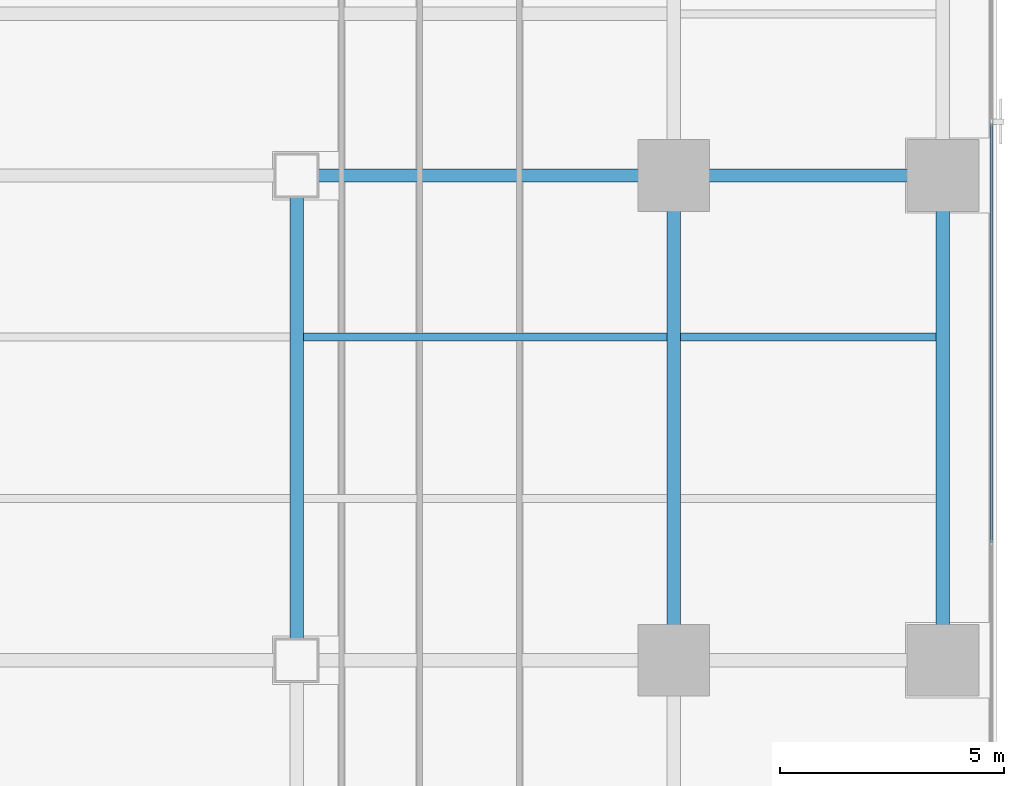
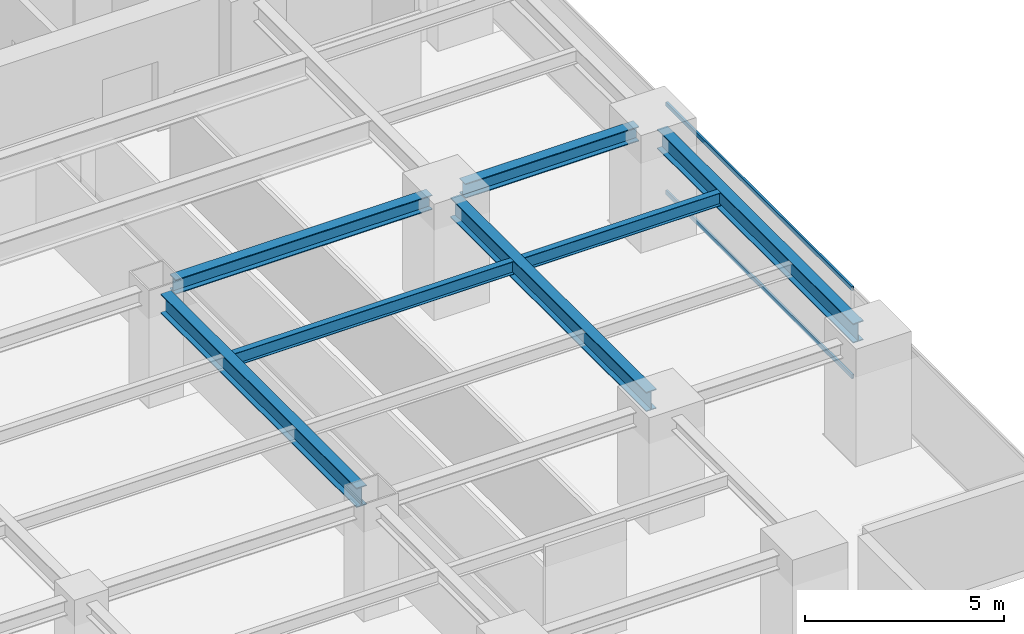
# One storey, part 12 of 27: 7 beams, 2 members, 1 element without a shape of its own.
"""IFC4 building model written with IfcOpenShell, lengths in metres."""

from ifc_helpers import new_model, si_unit, direction, frame, origin, origin_2d, place, context, subcontext, project, spatial, hollow_rectangle, i_section, extrude, source, transform, mapped, material, layer, layer_set, material_profile, profile_set, type_object, element, aggregate, save


model = new_model("IFC4")

# Units and contexts
model_context = context("Model", 3, precision=1e-05, world=origin(), true_north=direction((0.0, 1.0)))
body_context = subcontext(model_context, "Body", "Model", "MODEL_VIEW")
ifc_project = project(units=[si_unit("LENGTHUNIT", "METRE"), si_unit("AREAUNIT", "SQUARE_METRE"), si_unit("VOLUMEUNIT", "CUBIC_METRE"), si_unit("PLANEANGLEUNIT", "RADIAN"), si_unit("MASSUNIT", "GRAM", prefix="KILO")], contexts=[model_context])

# Site, building, storey
site_placement = place(None, origin())
site = spatial("IfcSite", under=ifc_project, at=site_placement, CompositionType="ELEMENT")
building_placement = place(site_placement, origin())
building = spatial("IfcBuilding", under=site, at=building_placement, Name="Sumidabori Civic Tower", CompositionType="ELEMENT")
storey_placement = place(building_placement, frame((0.0, 0.0, 142.39990234375)))
storey = spatial("IfcBuildingStorey", under=building, at=storey_placement, Name="L36", CompositionType="ELEMENT", Elevation=142.39990234375)

# Beams
ifc_material_1 = material(Name="Steel SN490", Category="steel")
ifc_material_profile_1 = material_profile(ifc_material_1, i_section(OverallWidth=0.300048828125, OverallDepth=0.60009765625, WebThickness=0.015380859375, FlangeThickness=0.030029296875, at=origin_2d()), Name="HE 600 B")
ifc_profile_set_1 = profile_set([ifc_material_profile_1], Name="Steel SN490")
beam_type_1 = type_object("IfcBeamType", Name="BM-GIRD-600", PredefinedType="BEAM", material=ifc_profile_set_1)
shared_shape_1 = source(origin(), body_context, "Body", "SweptSolid", [
    extrude(i_section(OverallWidth=0.300048828125, OverallDepth=0.60009765625, WebThickness=0.015380859375, FlangeThickness=0.030029296875, at=origin_2d()), origin(), (0.0, 0.0, 1.0), 9.840087890625),
])
for number, where, z_axis, x_axis, name in (
    (1, (8.39990234375, -10.320068359375, 3.080078125), (0.0, 1.0, 0.0), (-1.0, 0.0, 0.0), "Primary Girder L36 GY-31"),
    (2, (16.800048828125, -10.320068359375, 3.080078125), (0.0, 1.0, 0.0), (-1.0, 0.0, 0.0), "Primary Girder L36 GY-33"),
    (3, (22.800048828125, -10.320068359375, 3.080078125), (0.0, 1.0, 0.0), (-1.0, 0.0, 0.0), "Primary Girder L36 GY-36"),
):
    element("IfcBeam", number, at=place(storey_placement, frame(where, z_axis=z_axis, x_axis=x_axis)), inside=storey, type_object=beam_type_1, Name=name, PredefinedType="BEAM", context=body_context, shape_type="MappedRepresentation", body=[
        mapped(shared_shape_1, transform((0.0, 0.0, 0.0), x_axis=(1.0, 0.0, 0.0), y_axis=(0.0, 1.0, 0.0), z_axis=(0.0, 0.0, 1.0), scale=1.0)),
    ])
ifc_material_profile_2 = material_profile(ifc_material_1, i_section(OverallWidth=0.179931640625, OverallDepth=0.39990234375, WebThickness=0.008544921875, FlangeThickness=0.013427734375, at=origin_2d()), Name="IPE 400")
ifc_profile_set_2 = profile_set([ifc_material_profile_2], Name="Steel SN490")
beam_type_2 = type_object("IfcBeamType", Name="BM-JST-400", PredefinedType="JOIST", material=ifc_profile_set_2)
shared_shape_2 = source(origin(), body_context, "Body", "SweptSolid", [
    extrude(i_section(OverallWidth=0.179931640625, OverallDepth=0.39990234375, WebThickness=0.008544921875, FlangeThickness=0.013427734375, at=origin_2d()), origin(), (0.0, 0.0, 1.0), 5.699951171875),
])
beam_1_placement = place(storey_placement, frame((16.949951171875, -3.60009765625, 3.18017578125), z_axis=(1.0, 0.0, 0.0), x_axis=(0.0, 1.0, 0.0)))
element("IfcBeam", 4, at=beam_1_placement, inside=storey, type_object=beam_type_2, Name="Outer Bay Floor Joist L36 JSTO-42", PredefinedType="JOIST", context=body_context, shape_type="MappedRepresentation", body=[
    mapped(shared_shape_2, transform((0.0, 0.0, 0.0), x_axis=(1.0, 0.0, 0.0), y_axis=(0.0, 1.0, 0.0), z_axis=(0.0, 0.0, 1.0), scale=1.0)),
])
shared_shape_3 = source(origin(), body_context, "Body", "SweptSolid", [
    extrude(i_section(OverallWidth=0.179931640625, OverallDepth=0.39990234375, WebThickness=0.008544921875, FlangeThickness=0.013427734375, at=origin_2d()), origin(), (0.0, 0.0, 1.0), 8.099853515625),
])
beam_2_placement = place(storey_placement, frame((8.550048828125, -3.60009765625, 3.18017578125), z_axis=(1.0, 0.0, 0.0), x_axis=(0.0, 1.0, 0.0)))
element("IfcBeam", 5, at=beam_2_placement, inside=storey, type_object=beam_type_2, Name="South Bay Floor Joist L36 JSTS-60", PredefinedType="JOIST", context=body_context, shape_type="MappedRepresentation", body=[
    mapped(shared_shape_3, transform((0.0, 0.0, 0.0), x_axis=(1.0, 0.0, 0.0), y_axis=(0.0, 1.0, 0.0), z_axis=(0.0, 0.0, 1.0), scale=1.0)),
])
ifc_material_profile_3 = material_profile(ifc_material_1, i_section(OverallWidth=0.300048828125, OverallDepth=0.449951171875, WebThickness=0.013916015625, FlangeThickness=0.02587890625, at=origin_2d()), Name="HE 450 B")
ifc_profile_set_3 = profile_set([ifc_material_profile_3], Name="Steel SN490")
beam_type_3 = type_object("IfcBeamType", Name="BM-GIRD-450", PredefinedType="BEAM", material=ifc_profile_set_3)
shared_shape_4 = source(origin(), body_context, "Body", "SweptSolid", [
    extrude(i_section(OverallWidth=0.300048828125, OverallDepth=0.449951171875, WebThickness=0.013916015625, FlangeThickness=0.02587890625, at=origin_2d()), origin(), (0.0, 0.0, 1.0), 7.440185546875),
])
beam_3_placement = place(storey_placement, frame((8.8798828125, 0.0, 3.155029296875), z_axis=(1.0, 0.0, 0.0), x_axis=(0.0, 1.0, 0.0)))
element("IfcBeam", 6, at=beam_3_placement, inside=storey, type_object=beam_type_3, Name="Primary Girder L36 GX-15", PredefinedType="BEAM", context=body_context, shape_type="MappedRepresentation", body=[
    mapped(shared_shape_4, transform((0.0, 0.0, 0.0), x_axis=(1.0, 0.0, 0.0), y_axis=(0.0, 1.0, 0.0), z_axis=(0.0, 0.0, 1.0), scale=1.0)),
])
shared_shape_5 = source(origin(), body_context, "Body", "SweptSolid", [
    extrude(i_section(OverallWidth=0.300048828125, OverallDepth=0.449951171875, WebThickness=0.013916015625, FlangeThickness=0.02587890625, at=origin_2d()), origin(), (0.0, 0.0, 1.0), 5.0400390625),
])
beam_4_placement = place(storey_placement, frame((17.280029296875, 0.0, 3.155029296875), z_axis=(1.0, 0.0, 0.0), x_axis=(0.0, 1.0, 0.0)))
element("IfcBeam", 7, at=beam_4_placement, inside=storey, type_object=beam_type_3, Name="Primary Girder L36 GX-16", PredefinedType="BEAM", context=body_context, shape_type="MappedRepresentation", body=[
    mapped(shared_shape_5, transform((0.0, 0.0, 0.0), x_axis=(1.0, 0.0, 0.0), y_axis=(0.0, 1.0, 0.0), z_axis=(0.0, 0.0, 1.0), scale=1.0)),
])

# Curtain wall, members
ifc_material_2 = material(Name="Anodised Bronze Aluminium AW-6063-T6", Category="aluminium")
ifc_layer = layer(ifc_material_2, 0.179931640625, Name="Anodised Bronze Aluminium AW-6063-T6")
ifc_layer_set = layer_set([ifc_layer], Name="Anodised Bronze Aluminium AW-6063-T6")
curtain_wall_type = type_object("IfcCurtainWallType", Name="CW-SYS-3", PredefinedType="NOTDEFINED", material=ifc_layer_set)
curtain_wall_placement = place(storey_placement, origin())
curtain_wall = element("IfcCurtainWall", 8, at=curtain_wall_placement, inside=storey, type_object=curtain_wall_type, Name="Curtain Wall CW:L36:R04", PredefinedType="NOTDEFINED")
ifc_material_profile_4 = material_profile(ifc_material_2, hollow_rectangle(XDim=0.06005859375, YDim=0.1298828125, WallThickness=0.0048828125, at=origin_2d()), Name="ALU TRANSOM 130x60")
ifc_profile_set_4 = profile_set([ifc_material_profile_4], Name="Anodised Bronze Aluminium AW-6063-T6")
member_type = type_object("IfcMemberType", Name="CW-TRN-130", PredefinedType="USERDEFINED", material=ifc_profile_set_4)
shared_shape_6 = source(origin(), body_context, "Body", "SweptSolid", [
    extrude(hollow_rectangle(XDim=0.06005859375, YDim=0.1298828125, WallThickness=0.0048828125, at=origin_2d()), origin(), (0.0, 0.0, 1.0), 9.344970703125),
])
member_1_placement = place(storey_placement, frame((23.8798828125, -8.177490234375, 0.030029296875), z_axis=(0.0, 1.0, 0.0), x_axis=(-1.0, 0.0, 0.0)))
member_1 = element("IfcMember", 9, at=member_1_placement, type_object=member_type, Name="CW-3 transom 2.1", ObjectType="TRANSOM", PredefinedType="USERDEFINED", context=body_context, shape_type="MappedRepresentation", body=[
    mapped(shared_shape_6, transform((0.0, 0.0, 0.0), x_axis=(1.0, 0.0, 0.0), y_axis=(0.0, 1.0, 0.0), z_axis=(0.0, 0.0, 1.0), scale=1.0)),
])
member_2_placement = place(storey_placement, frame((23.8798828125, -8.177490234375, 2.72998046875), z_axis=(0.0, 1.0, 0.0), x_axis=(-1.0, 0.0, 0.0)))
member_2 = element("IfcMember", 10, at=member_2_placement, type_object=member_type, Name="CW-3 transom 2.2", ObjectType="TRANSOM", PredefinedType="USERDEFINED", context=body_context, shape_type="MappedRepresentation", body=[
    mapped(shared_shape_6, transform((0.0, 0.0, 0.0), x_axis=(1.0, 0.0, 0.0), y_axis=(0.0, 1.0, 0.0), z_axis=(0.0, 0.0, 1.0), scale=1.0)),
])
aggregate(curtain_wall, [member_1, member_2])

save(model, "model.ifc")
